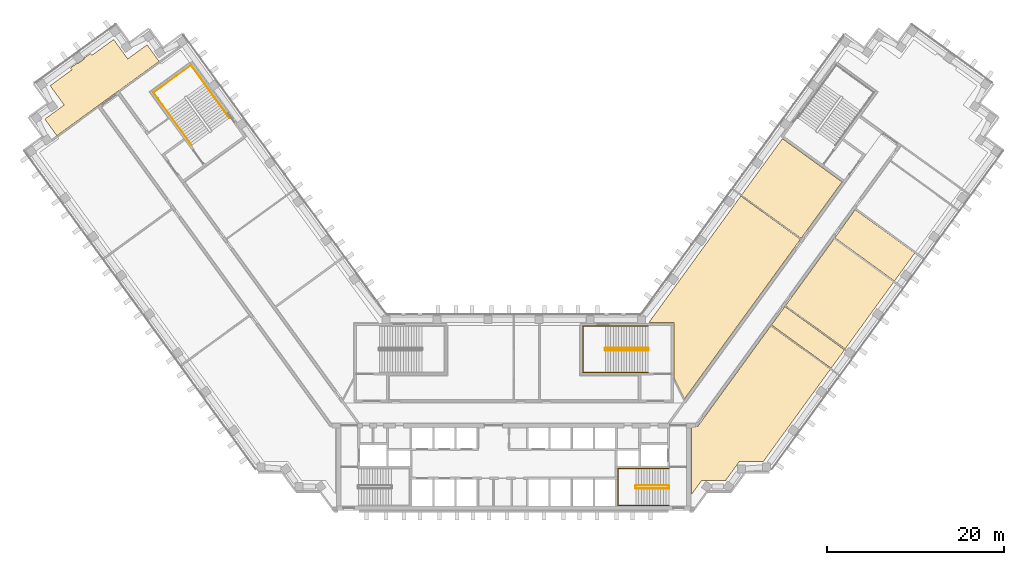
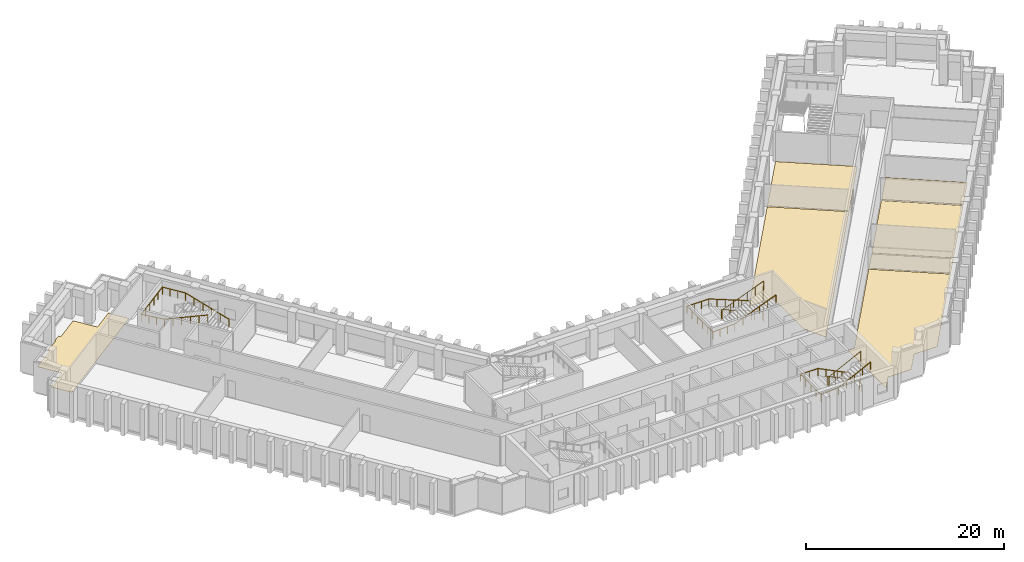
# One storey, part 14 of 15: 7 coverings, 5 railings.
"""IFC4 building model written with IfcOpenShell, lengths in metres."""

from ifc_helpers import new_model, si_unit, direction, frame, origin, origin_2d, place, context, subcontext, project, spatial, polyline, circle, outline, extrude, material, layer, layer_set, type_object, element, save


model = new_model("IFC4")

# Units and contexts
model_context = context("Model", 3, precision=1e-05, world=origin(), true_north=direction((0.0, 1.0)))
body_context = subcontext(model_context, "Body", "Model", "MODEL_VIEW")
ifc_project = project(units=[si_unit("LENGTHUNIT", "METRE"), si_unit("AREAUNIT", "SQUARE_METRE"), si_unit("VOLUMEUNIT", "CUBIC_METRE"), si_unit("PLANEANGLEUNIT", "RADIAN"), si_unit("MASSUNIT", "GRAM", prefix="KILO")], contexts=[model_context])

# Site, building, storey
site_placement = place(None, origin())
site = spatial("IfcSite", under=ifc_project, at=site_placement, CompositionType="ELEMENT")
building_placement = place(site_placement, origin())
building = spatial("IfcBuilding", under=site, at=building_placement, Name="Quipu Civic Tower", CompositionType="ELEMENT")
storey_placement = place(building_placement, frame((0.0, 0.0, 31.0)))
storey = spatial("IfcBuildingStorey", under=building, at=storey_placement, Name="L06", CompositionType="ELEMENT", Elevation=31.0)

# Coverings
ifc_material_1 = material(Name="Carpet tile on raised access floor")
ifc_layer_1 = layer(ifc_material_1, 0.02001953125)
ifc_layer_set_1 = layer_set([ifc_layer_1], Name="Carpet tile on raised access floor")
covering_type_1 = type_object("IfcCoveringType", Name="Carpet tile floor finish 20", PredefinedType="FLOORING", material=ifc_layer_set_1)
covering_1_placement = place(storey_placement, origin())
element("IfcCovering", 1, at=covering_1_placement, inside=storey, type_object=covering_type_1, Name="Carpet tile floor finish 20", PredefinedType="FLOORING", context=body_context, shape_type="SweptSolid", body=[
    extrude(outline(polyline([(25.698974609375, 24.56689453125), (30.31494140625, 30.922119140625), (37.0380859375, 26.0380859375), (32.422119140625, 19.68310546875), (25.698974609375, 24.56689453125)])), origin(), (0.0, 0.0, 1.0), 0.02001953125),
])
covering_2_placement = place(storey_placement, origin())
element("IfcCovering", 2, at=covering_2_placement, inside=storey, type_object=covering_type_1, Name="Carpet tile floor finish 20", PredefinedType="FLOORING", context=body_context, shape_type="SweptSolid", body=[
    extrude(outline(polyline([(20.070068359375, -9.195068359375), (20.070068359375, -1.52001953125), (20.77490234375, -1.51904296875), (29.0029296875, 9.805908203125), (35.72607421875, 4.922119140625), (28.181884765625, -5.4609375), (25.48193359375, -5.4619140625), (25.2080078125, -5.840087890625), (25.205078125, -5.841064453125), (25.200927734375, -5.843017578125), (25.197021484375, -5.844970703125), (25.193115234375, -5.847900390625), (25.18896484375, -5.85205078125), (25.18603515625, -5.85498046875), (25.18310546875, -5.85888671875), (25.179931640625, -5.863037109375), (25.177978515625, -5.867919921875), (25.177001953125, -5.8720703125), (25.175048828125, -5.876953125), (25.175048828125, -5.882080078125), (25.174072265625, -5.885986328125), (23.89501953125, -7.64599609375), (21.721923828125, -7.64599609375), (21.721923828125, -7.64599609375), (21.718017578125, -7.64306640625), (21.712890625, -7.64111328125), (21.708984375, -7.638916015625), (21.7041015625, -7.637939453125), (21.698974609375, -7.636962890625), (21.694091796875, -7.635986328125), (21.68896484375, -7.636962890625), (21.68408203125, -7.636962890625), (21.679931640625, -7.637939453125), (21.675048828125, -7.639892578125), (21.669921875, -7.64111328125), (21.666015625, -7.64404296875), (21.6630859375, -7.64599609375), (21.196044921875, -7.64599609375), (20.070068359375, -9.195068359375)])), origin(), (0.0, 0.0, 1.0), 0.02001953125),
])
covering_3_placement = place(storey_placement, origin())
element("IfcCovering", 3, at=covering_3_placement, inside=storey, type_object=covering_type_1, Name="Carpet tile floor finish 20", PredefinedType="FLOORING", context=body_context, shape_type="SweptSolid", body=[
    extrude(outline(polyline([(30.673095703125, 12.10302734375), (36.14404296875, 19.635009765625), (42.867919921875, 14.751953125), (37.39599609375, 7.218994140625), (30.673095703125, 12.10302734375)])), origin(), (0.0, 0.0, 1.0), 0.02001953125),
])
covering_4_placement = place(storey_placement, origin())
element("IfcCovering", 4, at=covering_4_placement, inside=storey, type_object=covering_type_1, Name="Carpet tile floor finish 20", PredefinedType="FLOORING", context=body_context, shape_type="SweptSolid", body=[
    extrude(outline(polyline([(-52.883056640625, 33.12890625), (-50.698974609375, 34.717041015625), (-52.284912109375, 36.90087890625), (-49.826904296875, 38.68603515625), (-49.97900390625, 38.89697265625), (-49.259033203125, 39.4208984375), (-49.236083984375, 39.388916015625), (-49.23291015625, 39.385009765625), (-49.22900390625, 39.382080078125), (-49.22607421875, 39.3779296875), (-49.220947265625, 39.3759765625), (-49.217041015625, 39.373046875), (-49.212890625, 39.37109375), (-49.2080078125, 39.3701171875), (-49.202880859375, 39.368896484375), (-49.197998046875, 39.367919921875), (-49.193115234375, 39.367919921875), (-49.18896484375, 39.368896484375), (-49.18408203125, 39.3701171875), (-49.178955078125, 39.37109375), (-49.174072265625, 39.373046875), (-49.169921875, 39.375), (-49.166015625, 39.3779296875), (-48.43798828125, 39.906982421875), (-48.43408203125, 39.909912109375), (-48.430908203125, 39.9130859375), (-48.427001953125, 39.9169921875), (-48.425048828125, 39.9208984375), (-48.422119140625, 39.926025390625), (-48.419921875, 39.929931640625), (-48.4189453125, 39.93505859375), (-48.41796875, 39.93994140625), (-48.4169921875, 39.944091796875), (-48.4169921875, 39.948974609375), (-48.41796875, 39.9541015625), (-48.4189453125, 39.958984375), (-48.419921875, 39.964111328125), (-48.422119140625, 39.968017578125), (-48.424072265625, 39.972900390625), (-48.427001953125, 39.97705078125), (-48.449951171875, 40.008056640625), (-47.72900390625, 40.531982421875), (-47.574951171875, 40.322021484375), (-45.116943359375, 42.10791015625), (-43.531982421875, 39.925048828125), (-41.346923828125, 41.510986328125), (-39.989013671875, 39.64208984375), (-51.52587890625, 31.260009765625), (-52.883056640625, 33.12890625)])), origin(), (0.0, 0.0, 1.0), 0.02001953125),
])
covering_5_placement = place(storey_placement, origin())
element("IfcCovering", 5, at=covering_5_placement, inside=storey, type_object=covering_type_1, Name="Carpet tile floor finish 20", PredefinedType="FLOORING", context=body_context, shape_type="SweptSolid", body=[
    extrude(outline(polyline([(15.238037109375, 10.169921875), (25.615966796875, 24.4541015625), (32.339111328125, 19.570068359375), (19.27197265625, 1.583984375), (18.070068359375, 3.94189453125), (18.070068359375, 10.1689453125), (15.238037109375, 10.169921875)])), origin(), (0.0, 0.0, 1.0), 0.02001953125),
])
ifc_material_2 = material(Name="Ceramic floor tile")
ifc_layer_2 = layer(ifc_material_2, 0.030029296875)
ifc_layer_set_2 = layer_set([ifc_layer_2], Name="Ceramic floor tile")
covering_type_2 = type_object("IfcCoveringType", Name="Ceramic tile floor finish 30", PredefinedType="FLOORING", material=ifc_layer_set_2)
covering_6_placement = place(storey_placement, origin())
element("IfcCovering", 6, at=covering_6_placement, inside=storey, type_object=covering_type_2, Name="Ceramic tile floor finish 30", PredefinedType="FLOORING", context=body_context, shape_type="SweptSolid", body=[
    extrude(outline(polyline([(29.0859375, 9.9189453125), (30.590087890625, 11.989990234375), (37.31298828125, 7.10595703125), (35.80908203125, 5.034912109375), (29.0859375, 9.9189453125)])), origin(), (0.0, 0.0, 1.0), 0.030029296875),
])
ifc_material_3 = material(Name="Sealed cement screed")
ifc_layer_3 = layer(ifc_material_3, 0.050048828125)
ifc_layer_set_3 = layer_set([ifc_layer_3], Name="Sealed cement screed")
covering_type_3 = type_object("IfcCoveringType", Name="Sealed screed floor finish 50", PredefinedType="FLOORING", material=ifc_layer_set_3)
covering_7_placement = place(storey_placement, origin())
element("IfcCovering", 7, at=covering_7_placement, inside=storey, type_object=covering_type_3, Name="Sealed screed floor finish 50", PredefinedType="FLOORING", context=body_context, shape_type="SweptSolid", body=[
    extrude(outline(polyline([(36.22705078125, 19.748046875), (38.52490234375, 22.912109375), (45.248046875, 18.028076171875), (42.950927734375, 14.864990234375), (36.22705078125, 19.748046875)])), origin(), (0.0, 0.0, 1.0), 0.050048828125),
])

# Railings
ifc_material_4 = material(Name="Stainless steel", Category="steel")
railing_type_1 = type_object("IfcRailingType", Name="Stair guard 1100", PredefinedType="GUARDRAIL", material=ifc_material_4)
railing_1_placement = place(storey_placement, frame((17.5, -8.199951171875, 0.15380859375)))
element("IfcRailing", 8, at=railing_1_placement, inside=storey, type_object=railing_type_1, Name="Stair 2 guard", PredefinedType="GUARDRAIL", context=body_context, shape_type="SweptSolid", body=[
    extrude(circle(Radius=0.02392578125, at=origin_2d()), frame((0.0, 0.0, 1.076171875), z_axis=(-0.895751851347, 0.0, 0.444554407028), x_axis=(0.0, -1.0, 0.0)), (0.0, 0.0, 1.0), 4.15283203125),
    extrude(circle(Radius=0.02392578125, at=origin_2d()), frame((-3.719970703125, 0.0, 2.92236328125), z_axis=(-0.707106781187, -0.707106781187, 0.0), x_axis=(0.707106781187, -0.707106781187, 0.0)), (0.0, 0.0, 1.0), 0.07080078125),
    extrude(circle(Radius=0.02392578125, at=origin_2d()), frame((-3.77001953125, -0.050048828125, 2.92236328125), z_axis=(0.0, -1.0, 0.0), x_axis=(1.0, 0.0, 0.0)), (0.0, 0.0, 1.0), 0.25),
    extrude(circle(Radius=0.02392578125, at=origin_2d()), frame((-3.77001953125, -0.300048828125, 2.92236328125), z_axis=(0.295599637079, -0.295599637079, 0.908428152975), x_axis=(0.707106781187, 0.707106781187, 0.0)), (0.0, 0.0, 1.0), 0.16943359375),
    extrude(circle(Radius=0.02392578125, at=origin_2d()), frame((-3.719970703125, -0.35009765625, 3.076171875), z_axis=(0.895751851347, 0.0, 0.444554407028), x_axis=(0.0, 1.0, 0.0)), (0.0, 0.0, 1.0), 4.15283203125),
    extrude(circle(Radius=0.02392578125, at=origin_2d()), frame((0.0, -0.35009765625, 4.92236328125), z_axis=(0.012476181752, 0.074796231092, -0.997120789425), x_axis=(-0.986372223864, 0.164529134168, 0.0)), (0.0, 0.0, 1.0), 4.011474609375),
    extrude(circle(Radius=0.02392578125, at=origin_2d()), frame((0.050048828125, -0.050048828125, 0.92236328125), z_axis=(0.0, -1.0, 0.0), x_axis=(1.0, 0.0, 0.0)), (0.0, 0.0, 1.0), 0.25),
    extrude(circle(Radius=0.02099609375, at=origin_2d()), origin(), (0.0, 0.0, 1.0), 1.052001953125),
    extrude(circle(Radius=0.02099609375, at=origin_2d()), frame((-0.929931640625, 0.0, 0.46142578125)), (0.0, 0.0, 1.0), 1.052001953125),
    extrude(circle(Radius=0.02099609375, at=origin_2d()), frame((-1.85986328125, 0.0, 0.923095703125)), (0.0, 0.0, 1.0), 1.052001953125),
    extrude(circle(Radius=0.02099609375, at=origin_2d()), frame((-2.7900390625, 0.0, 1.384765625)), (0.0, 0.0, 1.0), 1.052001953125),
    extrude(circle(Radius=0.02099609375, at=origin_2d()), frame((-3.719970703125, 0.0, 1.84619140625)), (0.0, 0.0, 1.0), 1.052001953125),
    extrude(circle(Radius=0.02099609375, at=origin_2d()), frame((-3.77001953125, -0.050048828125, 1.84619140625)), (0.0, 0.0, 1.0), 1.052001953125),
    extrude(circle(Radius=0.02099609375, at=origin_2d()), frame((-3.77001953125, -0.300048828125, 1.84619140625)), (0.0, 0.0, 1.0), 1.052001953125),
    extrude(circle(Radius=0.02099609375, at=origin_2d()), frame((-3.719970703125, -0.35009765625, 2.0)), (0.0, 0.0, 1.0), 1.052001953125),
    extrude(circle(Radius=0.02099609375, at=origin_2d()), frame((-2.7900390625, -0.35009765625, 2.46142578125)), (0.0, 0.0, 1.0), 1.052001953125),
    extrude(circle(Radius=0.02099609375, at=origin_2d()), frame((-1.85986328125, -0.35009765625, 2.923095703125)), (0.0, 0.0, 1.0), 1.052001953125),
    extrude(circle(Radius=0.02099609375, at=origin_2d()), frame((-0.929931640625, -0.35009765625, 3.384765625)), (0.0, 0.0, 1.0), 1.052001953125),
    extrude(circle(Radius=0.02099609375, at=origin_2d()), frame((0.0, -0.35009765625, 3.84619140625)), (0.0, 0.0, 1.0), 1.052001953125),
    extrude(circle(Radius=0.02099609375, at=origin_2d()), frame((0.012451171875, -0.275146484375, 2.84619140625)), (0.0, 0.0, 1.0), 1.052001953125),
    extrude(circle(Radius=0.02099609375, at=origin_2d()), frame((0.02490234375, -0.2001953125, 1.84619140625)), (0.0, 0.0, 1.0), 1.052001953125),
    extrude(circle(Radius=0.02099609375, at=origin_2d()), frame((0.03759765625, -0.125, 0.84619140625)), (0.0, 0.0, 1.0), 1.052001953125),
    extrude(circle(Radius=0.02099609375, at=origin_2d()), frame((0.050048828125, -0.050048828125, -0.15380859375)), (0.0, 0.0, 1.0), 1.052001953125),
    extrude(circle(Radius=0.02099609375, at=origin_2d()), frame((0.050048828125, -0.300048828125, -0.15380859375)), (0.0, 0.0, 1.0), 1.052001953125),
])
railing_2_placement = place(storey_placement, frame((15.14990234375, 7.300048828125, 0.11767578125)))
element("IfcRailing", 9, at=railing_2_placement, inside=storey, type_object=railing_type_1, Name="Stair 4 guard", PredefinedType="GUARDRAIL", context=body_context, shape_type="SweptSolid", body=[
    extrude(circle(Radius=0.02392578125, at=origin_2d()), frame((0.0, 0.0, 1.076171875), z_axis=(-0.930970042603, 0.0, 0.365095576219), x_axis=(0.0, -1.0, 0.0)), (0.0, 0.0, 1.0), 5.15576171875),
    extrude(circle(Radius=0.02392578125, at=origin_2d()), frame((-4.7998046875, 0.0, 2.95849609375), z_axis=(-0.707106781187, -0.707106781187, 0.0), x_axis=(0.707106781187, -0.707106781187, 0.0)), (0.0, 0.0, 1.0), 0.07080078125),
    extrude(circle(Radius=0.02392578125, at=origin_2d()), frame((-4.849853515625, -0.050048828125, 2.95849609375), z_axis=(0.0, -1.0, 0.0), x_axis=(1.0, 0.0, 0.0)), (0.0, 0.0, 1.0), 0.14990234375),
    extrude(circle(Radius=0.02392578125, at=origin_2d()), frame((-4.849853515625, -0.199951171875, 2.95849609375), z_axis=(0.364463019033, -0.364463019033, 0.856932561824), x_axis=(0.707106781187, 0.707106781187, 0.0)), (0.0, 0.0, 1.0), 0.13720703125),
    extrude(circle(Radius=0.02392578125, at=origin_2d()), frame((-4.7998046875, -0.25, 3.076171875), z_axis=(0.930970042603, 0.0, 0.365095576219), x_axis=(0.0, 1.0, 0.0)), (0.0, 0.0, 1.0), 5.15576171875),
    extrude(circle(Radius=0.02392578125, at=origin_2d()), frame((0.0, -0.25, 4.95849609375), z_axis=(0.012495627992, 0.049921557685, -0.998674970829), x_axis=(-0.970072785993, 0.242814311512, 0.0)), (0.0, 0.0, 1.0), 4.00537109375),
    extrude(circle(Radius=0.02392578125, at=origin_2d()), frame((0.050048828125, -0.050048828125, 0.95849609375), z_axis=(0.0, -1.0, 0.0), x_axis=(1.0, 0.0, 0.0)), (0.0, 0.0, 1.0), 0.14990234375),
    extrude(circle(Radius=0.02099609375, at=origin_2d()), origin(), (0.0, 0.0, 1.0), 1.052001953125),
    extrude(circle(Radius=0.02099609375, at=origin_2d()), frame((-0.9599609375, 0.0, 0.37646484375)), (0.0, 0.0, 1.0), 1.052001953125),
    extrude(circle(Radius=0.02099609375, at=origin_2d()), frame((-1.919921875, 0.0, 0.7529296875)), (0.0, 0.0, 1.0), 1.052001953125),
    extrude(circle(Radius=0.02099609375, at=origin_2d()), frame((-2.8798828125, 0.0, 1.12939453125)), (0.0, 0.0, 1.0), 1.052001953125),
    extrude(circle(Radius=0.02099609375, at=origin_2d()), frame((-3.83984375, 0.0, 1.505859375)), (0.0, 0.0, 1.0), 1.052001953125),
    extrude(circle(Radius=0.02099609375, at=origin_2d()), frame((-4.7998046875, 0.0, 1.88232421875)), (0.0, 0.0, 1.0), 1.052001953125),
    extrude(circle(Radius=0.02099609375, at=origin_2d()), frame((-4.849853515625, -0.050048828125, 1.88232421875)), (0.0, 0.0, 1.0), 1.052001953125),
    extrude(circle(Radius=0.02099609375, at=origin_2d()), frame((-4.849853515625, -0.199951171875, 1.88232421875)), (0.0, 0.0, 1.0), 1.052001953125),
    extrude(circle(Radius=0.02099609375, at=origin_2d()), frame((-4.7998046875, -0.25, 2.0)), (0.0, 0.0, 1.0), 1.052001953125),
    extrude(circle(Radius=0.02099609375, at=origin_2d()), frame((-3.83984375, -0.25, 2.37646484375)), (0.0, 0.0, 1.0), 1.052001953125),
    extrude(circle(Radius=0.02099609375, at=origin_2d()), frame((-2.8798828125, -0.25, 2.7529296875)), (0.0, 0.0, 1.0), 1.052001953125),
    extrude(circle(Radius=0.02099609375, at=origin_2d()), frame((-1.919921875, -0.25, 3.12939453125)), (0.0, 0.0, 1.0), 1.052001953125),
    extrude(circle(Radius=0.02099609375, at=origin_2d()), frame((-0.9599609375, -0.25, 3.505859375)), (0.0, 0.0, 1.0), 1.052001953125),
    extrude(circle(Radius=0.02099609375, at=origin_2d()), frame((0.0, -0.25, 3.88232421875)), (0.0, 0.0, 1.0), 1.052001953125),
    extrude(circle(Radius=0.02099609375, at=origin_2d()), frame((0.012451171875, -0.199951171875, 2.88232421875)), (0.0, 0.0, 1.0), 1.052001953125),
    extrude(circle(Radius=0.02099609375, at=origin_2d()), frame((0.02490234375, -0.14990234375, 1.88232421875)), (0.0, 0.0, 1.0), 1.052001953125),
    extrude(circle(Radius=0.02099609375, at=origin_2d()), frame((0.03759765625, -0.10009765625, 0.88232421875)), (0.0, 0.0, 1.0), 1.052001953125),
    extrude(circle(Radius=0.02099609375, at=origin_2d()), frame((0.050048828125, -0.050048828125, -0.11767578125)), (0.0, 0.0, 1.0), 1.052001953125),
    extrude(circle(Radius=0.02099609375, at=origin_2d()), frame((0.050048828125, -0.199951171875, -0.11767578125)), (0.0, 0.0, 1.0), 1.052001953125),
])
ifc_material_5 = material(Name="Stainless steel", Category="steel")
railing_type_2 = type_object("IfcRailingType", Name="Stair handrail", PredefinedType="HANDRAIL", material=ifc_material_5)
railing_3_placement = place(storey_placement, frame((17.5, -6.300048828125, 0.15380859375)))
element("IfcRailing", 10, at=railing_3_placement, inside=storey, type_object=railing_type_2, Name="Stair 2 handrail", PredefinedType="HANDRAIL", context=body_context, shape_type="SweptSolid", body=[
    extrude(circle(Radius=0.02392578125, at=origin_2d()), frame((0.0, 0.0, 0.8759765625), z_axis=(-0.895751851347, 0.0, 0.444554407028), x_axis=(0.0, -1.0, 0.0)), (0.0, 0.0, 1.0), 4.15283203125),
    extrude(circle(Radius=0.02392578125, at=origin_2d()), frame((-3.719970703125, 0.0, 2.72216796875), z_axis=(-1.0, 0.0, 0.0), x_axis=(0.0, -1.0, 0.0)), (0.0, 0.0, 1.0), 2.030029296875),
    extrude(circle(Radius=0.02392578125, at=origin_2d()), frame((-5.75, 0.0, 2.72216796875), z_axis=(0.0, -1.0, 0.0), x_axis=(1.0, 0.0, 0.0)), (0.0, 0.0, 1.0), 4.14990234375),
    extrude(circle(Radius=0.02392578125, at=origin_2d()), frame((-5.75, -4.14990234375, 2.72216796875), z_axis=(0.997142003663, 0.0, 0.075550145798), x_axis=(0.0, 1.0, 0.0)), (0.0, 0.0, 1.0), 2.035888671875),
    extrude(circle(Radius=0.02392578125, at=origin_2d()), frame((-3.719970703125, -4.14990234375, 2.8759765625), z_axis=(0.895751851347, 0.0, 0.444554407028), x_axis=(0.0, 1.0, 0.0)), (0.0, 0.0, 1.0), 4.15283203125),
    extrude(circle(Radius=0.02099609375, at=origin_2d()), origin(), (0.0, 0.0, 1.0), 0.851806640625),
    extrude(circle(Radius=0.02099609375, at=origin_2d()), frame((-0.929931640625, 0.0, 0.46142578125)), (0.0, 0.0, 1.0), 0.851806640625),
    extrude(circle(Radius=0.02099609375, at=origin_2d()), frame((-1.85986328125, 0.0, 0.923095703125)), (0.0, 0.0, 1.0), 0.851806640625),
    extrude(circle(Radius=0.02099609375, at=origin_2d()), frame((-2.7900390625, 0.0, 1.384765625)), (0.0, 0.0, 1.0), 0.851806640625),
    extrude(circle(Radius=0.02099609375, at=origin_2d()), frame((-3.719970703125, 0.0, 1.84619140625)), (0.0, 0.0, 1.0), 0.851806640625),
    extrude(circle(Radius=0.02099609375, at=origin_2d()), frame((-4.73486328125, 0.0, 1.84619140625)), (0.0, 0.0, 1.0), 0.851806640625),
    extrude(circle(Radius=0.02099609375, at=origin_2d()), frame((-5.75, 0.0, 1.84619140625)), (0.0, 0.0, 1.0), 0.851806640625),
    extrude(circle(Radius=0.02099609375, at=origin_2d()), frame((-5.75, -1.03759765625, 1.84619140625)), (0.0, 0.0, 1.0), 0.851806640625),
    extrude(circle(Radius=0.02099609375, at=origin_2d()), frame((-5.75, -2.074951171875, 1.84619140625)), (0.0, 0.0, 1.0), 0.851806640625),
    extrude(circle(Radius=0.02099609375, at=origin_2d()), frame((-5.75, -3.1123046875, 1.84619140625)), (0.0, 0.0, 1.0), 0.851806640625),
    extrude(circle(Radius=0.02099609375, at=origin_2d()), frame((-5.75, -4.14990234375, 1.84619140625)), (0.0, 0.0, 1.0), 0.851806640625),
    extrude(circle(Radius=0.02099609375, at=origin_2d()), frame((-4.73486328125, -4.14990234375, 1.923095703125)), (0.0, 0.0, 1.0), 0.851806640625),
    extrude(circle(Radius=0.02099609375, at=origin_2d()), frame((-3.719970703125, -4.14990234375, 2.0)), (0.0, 0.0, 1.0), 0.851806640625),
    extrude(circle(Radius=0.02099609375, at=origin_2d()), frame((-2.7900390625, -4.14990234375, 2.46142578125)), (0.0, 0.0, 1.0), 0.851806640625),
    extrude(circle(Radius=0.02099609375, at=origin_2d()), frame((-1.85986328125, -4.14990234375, 2.923095703125)), (0.0, 0.0, 1.0), 0.851806640625),
    extrude(circle(Radius=0.02099609375, at=origin_2d()), frame((-0.929931640625, -4.14990234375, 3.384765625)), (0.0, 0.0, 1.0), 0.851806640625),
    extrude(circle(Radius=0.02099609375, at=origin_2d()), frame((0.0, -4.14990234375, 3.84619140625)), (0.0, 0.0, 1.0), 0.851806640625),
])
railing_4_placement = place(storey_placement, frame((15.14990234375, 9.800048828125, 0.11767578125)))
element("IfcRailing", 11, at=railing_4_placement, inside=storey, type_object=railing_type_2, Name="Stair 4 handrail", PredefinedType="HANDRAIL", context=body_context, shape_type="SweptSolid", body=[
    extrude(circle(Radius=0.02392578125, at=origin_2d()), frame((0.0, 0.0, 0.8759765625), z_axis=(-0.930970042603, 0.0, 0.365095576219), x_axis=(0.0, -1.0, 0.0)), (0.0, 0.0, 1.0), 5.15576171875),
    extrude(circle(Radius=0.02392578125, at=origin_2d()), frame((-4.7998046875, 0.0, 2.75830078125), z_axis=(-1.0, 0.0, 0.0), x_axis=(0.0, -1.0, 0.0)), (0.0, 0.0, 1.0), 2.550048828125),
    extrude(circle(Radius=0.02392578125, at=origin_2d()), frame((-7.349853515625, 0.0, 2.75830078125), z_axis=(0.0, -1.0, 0.0), x_axis=(1.0, 0.0, 0.0)), (0.0, 0.0, 1.0), 5.25),
    extrude(circle(Radius=0.02392578125, at=origin_2d()), frame((-7.349853515625, -5.25, 2.75830078125), z_axis=(0.998936948642, 0.0, 0.04609742549), x_axis=(0.0, 1.0, 0.0)), (0.0, 0.0, 1.0), 2.552734375),
    extrude(circle(Radius=0.02392578125, at=origin_2d()), frame((-4.7998046875, -5.25, 2.8759765625), z_axis=(0.930970042603, 0.0, 0.365095576219), x_axis=(0.0, 1.0, 0.0)), (0.0, 0.0, 1.0), 5.15576171875),
    extrude(circle(Radius=0.02099609375, at=origin_2d()), origin(), (0.0, 0.0, 1.0), 0.851806640625),
    extrude(circle(Radius=0.02099609375, at=origin_2d()), frame((-0.9599609375, 0.0, 0.37646484375)), (0.0, 0.0, 1.0), 0.851806640625),
    extrude(circle(Radius=0.02099609375, at=origin_2d()), frame((-1.919921875, 0.0, 0.7529296875)), (0.0, 0.0, 1.0), 0.851806640625),
    extrude(circle(Radius=0.02099609375, at=origin_2d()), frame((-2.8798828125, 0.0, 1.12939453125)), (0.0, 0.0, 1.0), 0.851806640625),
    extrude(circle(Radius=0.02099609375, at=origin_2d()), frame((-3.83984375, 0.0, 1.505859375)), (0.0, 0.0, 1.0), 0.851806640625),
    extrude(circle(Radius=0.02099609375, at=origin_2d()), frame((-4.7998046875, 0.0, 1.88232421875)), (0.0, 0.0, 1.0), 0.851806640625),
    extrude(circle(Radius=0.02099609375, at=origin_2d()), frame((-5.64990234375, 0.0, 1.88232421875)), (0.0, 0.0, 1.0), 0.851806640625),
    extrude(circle(Radius=0.02099609375, at=origin_2d()), frame((-6.499755859375, 0.0, 1.88232421875)), (0.0, 0.0, 1.0), 0.851806640625),
    extrude(circle(Radius=0.02099609375, at=origin_2d()), frame((-7.349853515625, 0.0, 1.88232421875)), (0.0, 0.0, 1.0), 0.851806640625),
    extrude(circle(Radius=0.02099609375, at=origin_2d()), frame((-7.349853515625, -1.050048828125, 1.88232421875)), (0.0, 0.0, 1.0), 0.851806640625),
    extrude(circle(Radius=0.02099609375, at=origin_2d()), frame((-7.349853515625, -2.10009765625, 1.88232421875)), (0.0, 0.0, 1.0), 0.851806640625),
    extrude(circle(Radius=0.02099609375, at=origin_2d()), frame((-7.349853515625, -3.14990234375, 1.88232421875)), (0.0, 0.0, 1.0), 0.851806640625),
    extrude(circle(Radius=0.02099609375, at=origin_2d()), frame((-7.349853515625, -4.199951171875, 1.88232421875)), (0.0, 0.0, 1.0), 0.851806640625),
    extrude(circle(Radius=0.02099609375, at=origin_2d()), frame((-7.349853515625, -5.25, 1.88232421875)), (0.0, 0.0, 1.0), 0.851806640625),
    extrude(circle(Radius=0.02099609375, at=origin_2d()), frame((-6.499755859375, -5.25, 1.921630859375)), (0.0, 0.0, 1.0), 0.851806640625),
    extrude(circle(Radius=0.02099609375, at=origin_2d()), frame((-5.64990234375, -5.25, 1.960693359375)), (0.0, 0.0, 1.0), 0.851806640625),
    extrude(circle(Radius=0.02099609375, at=origin_2d()), frame((-4.7998046875, -5.25, 2.0)), (0.0, 0.0, 1.0), 0.851806640625),
    extrude(circle(Radius=0.02099609375, at=origin_2d()), frame((-3.83984375, -5.25, 2.37646484375)), (0.0, 0.0, 1.0), 0.851806640625),
    extrude(circle(Radius=0.02099609375, at=origin_2d()), frame((-2.8798828125, -5.25, 2.7529296875)), (0.0, 0.0, 1.0), 0.851806640625),
    extrude(circle(Radius=0.02099609375, at=origin_2d()), frame((-1.919921875, -5.25, 3.12939453125)), (0.0, 0.0, 1.0), 0.851806640625),
    extrude(circle(Radius=0.02099609375, at=origin_2d()), frame((-0.9599609375, -5.25, 3.505859375)), (0.0, 0.0, 1.0), 0.851806640625),
    extrude(circle(Radius=0.02099609375, at=origin_2d()), frame((0.0, -5.25, 3.88232421875)), (0.0, 0.0, 1.0), 0.851806640625),
])
railing_5_placement = place(storey_placement, frame((-32.056396484375, 33.266845703125, 0.11767578125)))
element("IfcRailing", 12, at=railing_5_placement, inside=storey, type_object=railing_type_2, Name="Stair 6 handrail", PredefinedType="HANDRAIL", context=body_context, shape_type="SweptSolid", body=[
    extrude(circle(Radius=0.02392578125, at=origin_2d()), frame((0.0, 0.0, 0.8759765625), z_axis=(-0.54720100349, 0.753182689643, 0.365084781664), x_axis=(-0.809026317077, -0.587772420479, 0.0)), (0.0, 0.0, 1.0), 5.15576171875),
    extrude(circle(Radius=0.02392578125, at=origin_2d()), frame((-2.8212890625, 3.88330078125, 2.75830078125), z_axis=(-0.587767432704, 0.809029940764, 0.0), x_axis=(-0.809029940764, -0.587767432704, 0.0)), (0.0, 0.0, 1.0), 2.550048828125),
    extrude(circle(Radius=0.02392578125, at=origin_2d()), frame((-4.320068359375, 5.9462890625, 2.75830078125), z_axis=(-0.809009483706, -0.587795589702, 0.0), x_axis=(0.587795589702, -0.809009483706, 0.0)), (0.0, 0.0, 1.0), 5.25),
    extrude(circle(Radius=0.02392578125, at=origin_2d()), frame((-8.5673828125, 2.8603515625, 2.75830078125), z_axis=(0.587142558822, -0.808169835812, 0.046099155132), x_axis=(0.809029940764, 0.587767432704, 0.0)), (0.0, 0.0, 1.0), 2.552734375),
    extrude(circle(Radius=0.02392578125, at=origin_2d()), frame((-7.068603515625, 0.79736328125, 2.8759765625), z_axis=(0.54720100349, -0.753182689643, 0.365084781664), x_axis=(0.809026317077, 0.587772420479, 0.0)), (0.0, 0.0, 1.0), 5.15576171875),
    extrude(circle(Radius=0.02099609375, at=origin_2d()), origin(), (0.0, 0.0, 1.0), 0.851806640625),
    extrude(circle(Radius=0.02099609375, at=origin_2d()), frame((-0.564208984375, 0.776611328125, 0.37646484375)), (0.0, 0.0, 1.0), 0.851806640625),
    extrude(circle(Radius=0.02099609375, at=origin_2d()), frame((-1.12841796875, 1.55322265625, 0.7529296875)), (0.0, 0.0, 1.0), 0.851806640625),
    extrude(circle(Radius=0.02099609375, at=origin_2d()), frame((-1.69287109375, 2.330078125, 1.12939453125)), (0.0, 0.0, 1.0), 0.851806640625),
    extrude(circle(Radius=0.02099609375, at=origin_2d()), frame((-2.257080078125, 3.106689453125, 1.505859375)), (0.0, 0.0, 1.0), 0.851806640625),
    extrude(circle(Radius=0.02099609375, at=origin_2d()), frame((-2.8212890625, 3.88330078125, 1.88232421875)), (0.0, 0.0, 1.0), 0.851806640625),
    extrude(circle(Radius=0.02099609375, at=origin_2d()), frame((-3.32080078125, 4.571044921875, 1.88232421875)), (0.0, 0.0, 1.0), 0.851806640625),
    extrude(circle(Radius=0.02099609375, at=origin_2d()), frame((-3.820556640625, 5.258544921875, 1.88232421875)), (0.0, 0.0, 1.0), 0.851806640625),
    extrude(circle(Radius=0.02099609375, at=origin_2d()), frame((-4.320068359375, 5.9462890625, 1.88232421875)), (0.0, 0.0, 1.0), 0.851806640625),
    extrude(circle(Radius=0.02099609375, at=origin_2d()), frame((-5.16943359375, 5.3291015625, 1.88232421875)), (0.0, 0.0, 1.0), 0.851806640625),
    extrude(circle(Radius=0.02099609375, at=origin_2d()), frame((-6.01904296875, 4.7119140625, 1.88232421875)), (0.0, 0.0, 1.0), 0.851806640625),
    extrude(circle(Radius=0.02099609375, at=origin_2d()), frame((-6.868408203125, 4.0947265625, 1.88232421875)), (0.0, 0.0, 1.0), 0.851806640625),
    extrude(circle(Radius=0.02099609375, at=origin_2d()), frame((-7.718017578125, 3.4775390625, 1.88232421875)), (0.0, 0.0, 1.0), 0.851806640625),
    extrude(circle(Radius=0.02099609375, at=origin_2d()), frame((-8.5673828125, 2.8603515625, 1.88232421875)), (0.0, 0.0, 1.0), 0.851806640625),
    extrude(circle(Radius=0.02099609375, at=origin_2d()), frame((-8.06787109375, 2.172607421875, 1.921630859375)), (0.0, 0.0, 1.0), 0.851806640625),
    extrude(circle(Radius=0.02099609375, at=origin_2d()), frame((-7.568115234375, 1.485107421875, 1.960693359375)), (0.0, 0.0, 1.0), 0.851806640625),
    extrude(circle(Radius=0.02099609375, at=origin_2d()), frame((-7.068603515625, 0.79736328125, 2.0)), (0.0, 0.0, 1.0), 0.851806640625),
    extrude(circle(Radius=0.02099609375, at=origin_2d()), frame((-6.50439453125, 0.020751953125, 2.37646484375)), (0.0, 0.0, 1.0), 0.851806640625),
    extrude(circle(Radius=0.02099609375, at=origin_2d()), frame((-5.940185546875, -0.755859375, 2.7529296875)), (0.0, 0.0, 1.0), 0.851806640625),
    extrude(circle(Radius=0.02099609375, at=origin_2d()), frame((-5.375732421875, -1.53271484375, 3.12939453125)), (0.0, 0.0, 1.0), 0.851806640625),
    extrude(circle(Radius=0.02099609375, at=origin_2d()), frame((-4.8115234375, -2.309326171875, 3.505859375)), (0.0, 0.0, 1.0), 0.851806640625),
    extrude(circle(Radius=0.02099609375, at=origin_2d()), frame((-4.247314453125, -3.0859375, 3.88232421875)), (0.0, 0.0, 1.0), 0.851806640625),
])

save(model, "model.ifc")
